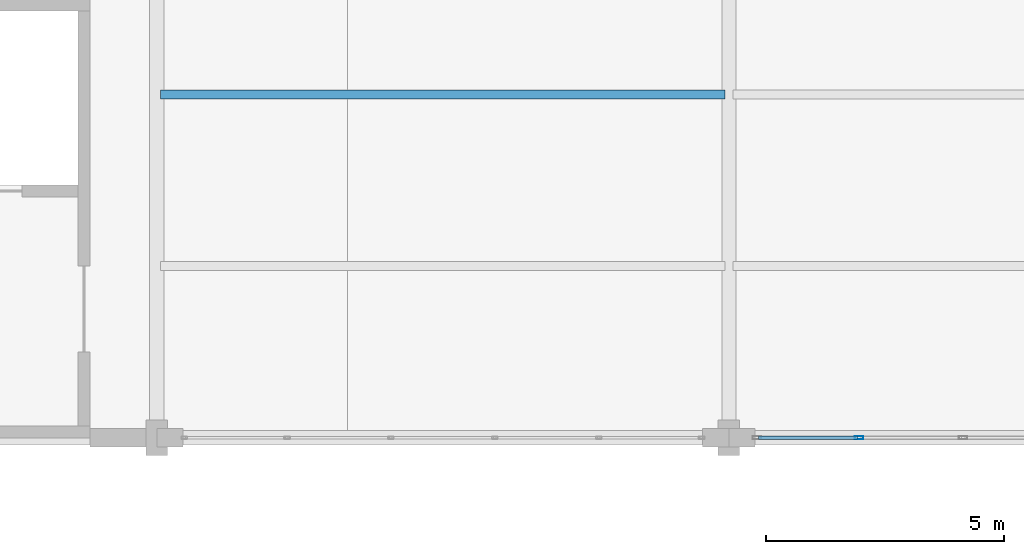
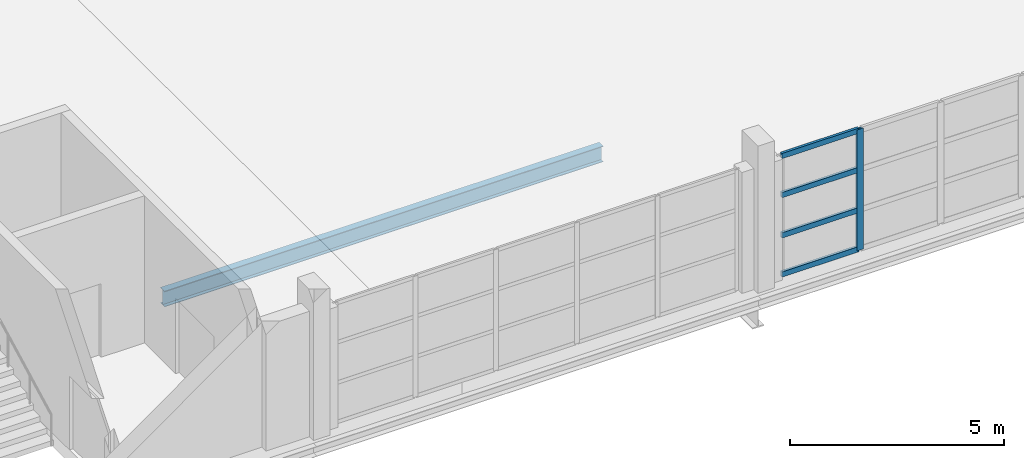
# One storey, part 98 of 147: 5 members, 1 beam, 1 element without a shape of its own.
"""IFC4 building model written with IfcOpenShell, lengths in metres."""

from ifc_helpers import new_model, si_unit, direction, frame, origin, origin_2d, place, context, subcontext, project, spatial, hollow_rectangle, i_section, extrude, material, layer, layer_set, material_profile, profile_set, type_object, element, aggregate, save


model = new_model("IFC4")

# Units and contexts
model_context = context("Model", 3, precision=1e-05, world=origin(), true_north=direction((0.0, 1.0)))
body_context = subcontext(model_context, "Body", "Model", "MODEL_VIEW")
ifc_project = project(units=[si_unit("LENGTHUNIT", "METRE"), si_unit("AREAUNIT", "SQUARE_METRE"), si_unit("VOLUMEUNIT", "CUBIC_METRE"), si_unit("PLANEANGLEUNIT", "RADIAN"), si_unit("MASSUNIT", "GRAM", prefix="KILO")], contexts=[model_context])

# Site, building, storey
site_placement = place(None, origin())
site = spatial("IfcSite", under=ifc_project, at=site_placement, CompositionType="ELEMENT")
building_placement = place(site_placement, origin())
building = spatial("IfcBuilding", under=site, at=building_placement, Name="Zilviju Railside Exhibition Hall", CompositionType="ELEMENT")
storey_placement = place(building_placement, frame((0.0, 0.0, 8.39990234375)))
storey = spatial("IfcBuildingStorey", under=building, at=storey_placement, Name="L03", CompositionType="ELEMENT", Elevation=8.39990234375)

# Beam
ifc_material_1 = material(Name="Steel S355J2", Category="steel")
ifc_material_profile_1 = material_profile(ifc_material_1, i_section(OverallWidth=0.18994140625, OverallDepth=0.449951171875, WebThickness=0.009521484375, FlangeThickness=0.0146484375, at=origin_2d()), Name="IPE 450")
ifc_profile_set_1 = profile_set([ifc_material_profile_1], Name="Steel S355J2")
beam_type = type_object("IfcBeamType", Name="BM-IPE450", PredefinedType="JOIST", material=ifc_profile_set_1)
beam_placement = place(storey_placement, frame((192.080078125, 91.199951171875, -0.60498046875), z_axis=(1.0, 0.0, 0.0), x_axis=(0.0, 1.0, 0.0)))
element("IfcBeam", 1, at=beam_placement, inside=storey, type_object=beam_type, Name="Composite Floor Joist L03 Y=91.20 (192.0..204.0)", PredefinedType="JOIST", context=body_context, shape_type="SweptSolid", body=[
    extrude(i_section(OverallWidth=0.18994140625, OverallDepth=0.449951171875, WebThickness=0.009521484375, FlangeThickness=0.0146484375, at=origin_2d()), origin(), (0.0, 0.0, 1.0), 11.83984375),
])

# Curtain wall, members
ifc_material_2 = material(Name="Thermally broken aluminium-steel triple-glazed curtain wall", Category="steel")
ifc_layer = layer(ifc_material_2, 0.179931640625)
ifc_layer_set = layer_set([ifc_layer], Name="Thermally broken aluminium-steel triple-glazed curtain wall")
curtain_wall_type = type_object("IfcCurtainWallType", Name="CW-BAY-05", PredefinedType="USERDEFINED", material=ifc_layer_set)
curtain_wall_placement = place(storey_placement, origin())
curtain_wall = element("IfcCurtainWall", 2, at=curtain_wall_placement, inside=storey, type_object=curtain_wall_type, Name="North Hall Garden Court Curtain Wall L03 (204..216)", ObjectType="GLAZED CURTAIN WALL", PredefinedType="USERDEFINED")
ifc_material_3 = material(Name="Thermally broken anodized aluminium mullion", Category="aluminium")
ifc_material_profile_2 = material_profile(ifc_material_3, hollow_rectangle(XDim=0.070068359375, YDim=0.179931640625, WallThickness=0.0048828125, at=origin_2d()), Name="MULLION 180x70x5")
ifc_profile_set_2 = profile_set([ifc_material_profile_2], Name="Thermally broken anodized aluminium mullion")
member_type_1 = type_object("IfcMemberType", Name="CWM-70x180", PredefinedType="MULLION", material=ifc_profile_set_2)
member_1_placement = place(storey_placement, frame((206.72998046875, 84.0, 0.0), z_axis=(0.0, 0.0, 1.0), x_axis=(0.0, -1.0, 0.0)))
member_1 = element("IfcMember", 3, at=member_1_placement, type_object=member_type_1, Name="CW-05 mullion 5", PredefinedType="MULLION", context=body_context, shape_type="SweptSolid", body=[
    extrude(hollow_rectangle(XDim=0.070068359375, YDim=0.179931640625, WallThickness=0.0048828125, at=origin_2d()), origin(), (0.0, 0.0, 1.0), 3.4501953125),
])
ifc_material_4 = material(Name="Thermally broken anodized aluminium transom", Category="aluminium")
ifc_material_profile_3 = material_profile(ifc_material_4, hollow_rectangle(XDim=0.070068359375, YDim=0.14990234375, WallThickness=0.0048828125, at=origin_2d()), Name="TRANSOM 150x70x5")
ifc_profile_set_3 = profile_set([ifc_material_profile_3], Name="Thermally broken anodized aluminium transom")
member_type_2 = type_object("IfcMemberType", Name="CWT-70x150", PredefinedType="USERDEFINED", material=ifc_profile_set_3)
member_2_placement = place(storey_placement, frame((206.695068359375, 84.0, 0.03515625), z_axis=(-1.0, 0.0, 0.0), x_axis=(0.0, -1.0, 0.0)))
member_2 = element("IfcMember", 4, at=member_2_placement, type_object=member_type_2, Name="CW-05 transom 5.1", ObjectType="TRANSOM", PredefinedType="USERDEFINED", context=body_context, shape_type="SweptSolid", body=[
    extrude(hollow_rectangle(XDim=0.070068359375, YDim=0.14990234375, WallThickness=0.0048828125, at=origin_2d()), origin(), (0.0, 0.0, 1.0), 2.074951171875),
])
member_3_placement = place(storey_placement, frame((206.695068359375, 84.0, 1.150146484375), z_axis=(-1.0, 0.0, 0.0), x_axis=(0.0, -1.0, 0.0)))
member_3 = element("IfcMember", 5, at=member_3_placement, type_object=member_type_2, Name="CW-05 transom 5.2", ObjectType="TRANSOM", PredefinedType="USERDEFINED", context=body_context, shape_type="SweptSolid", body=[
    extrude(hollow_rectangle(XDim=0.070068359375, YDim=0.14990234375, WallThickness=0.0048828125, at=origin_2d()), origin(), (0.0, 0.0, 1.0), 2.074951171875),
])
member_4_placement = place(storey_placement, frame((206.695068359375, 84.0, 2.300048828125), z_axis=(-1.0, 0.0, 0.0), x_axis=(0.0, -1.0, 0.0)))
member_4 = element("IfcMember", 6, at=member_4_placement, type_object=member_type_2, Name="CW-05 transom 5.3", ObjectType="TRANSOM", PredefinedType="USERDEFINED", context=body_context, shape_type="SweptSolid", body=[
    extrude(hollow_rectangle(XDim=0.070068359375, YDim=0.14990234375, WallThickness=0.0048828125, at=origin_2d()), origin(), (0.0, 0.0, 1.0), 2.074951171875),
])
member_5_placement = place(storey_placement, frame((206.695068359375, 84.0, 3.4150390625), z_axis=(-1.0, 0.0, 0.0), x_axis=(0.0, -1.0, 0.0)))
member_5 = element("IfcMember", 7, at=member_5_placement, type_object=member_type_2, Name="CW-05 transom 5.4", ObjectType="TRANSOM", PredefinedType="USERDEFINED", context=body_context, shape_type="SweptSolid", body=[
    extrude(hollow_rectangle(XDim=0.070068359375, YDim=0.14990234375, WallThickness=0.0048828125, at=origin_2d()), origin(), (0.0, 0.0, 1.0), 2.074951171875),
])
aggregate(curtain_wall, [member_1, member_2, member_3, member_4, member_5])

save(model, "model.ifc")
